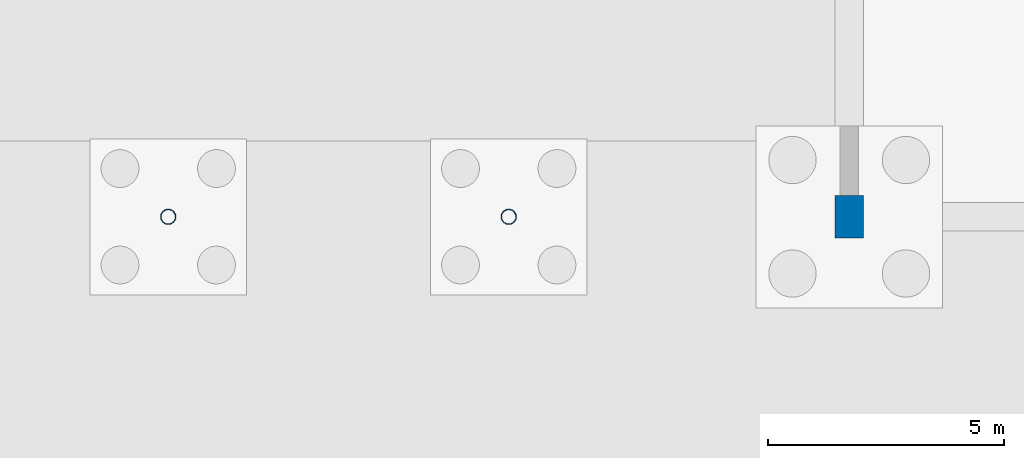
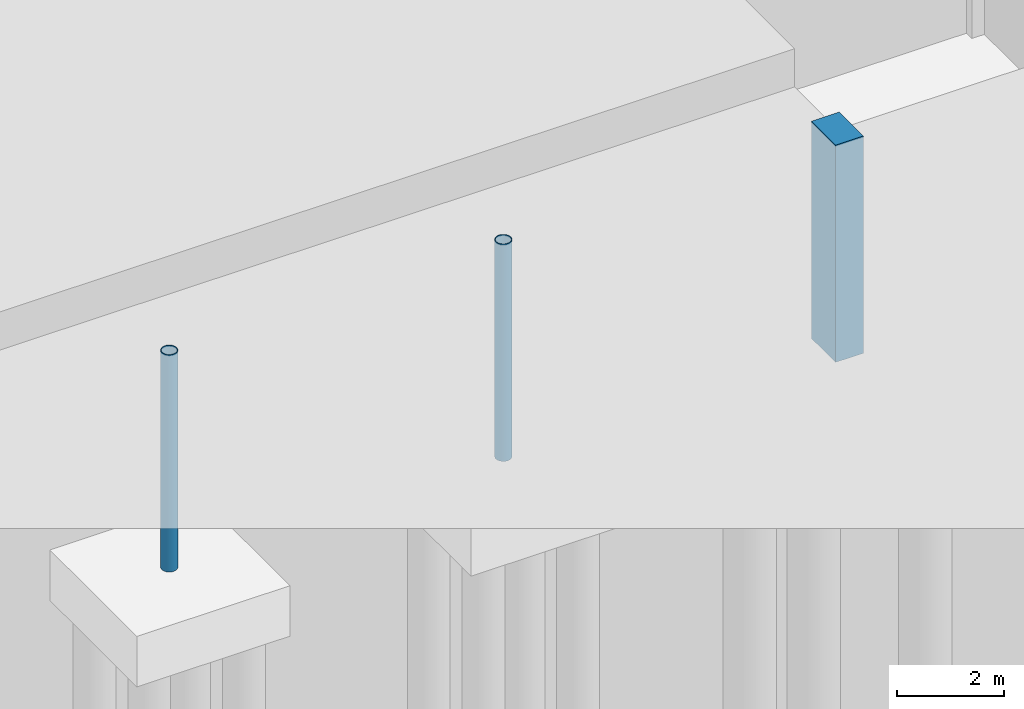
# One storey, part 18 of 51: 3 columns.
"""IFC4 building model written with IfcOpenShell, lengths in metres."""

from ifc_helpers import new_model, si_unit, direction, frame, origin, origin_2d, place, context, subcontext, project, spatial, rectangle, hollow_circle, extrude, material, material_profile, profile_set, type_object, element, save


model = new_model("IFC4")

# Units and contexts
model_context = context("Model", 3, precision=1e-05, world=origin(), true_north=direction((0.0, 1.0)))
body_context = subcontext(model_context, "Body", "Model", "MODEL_VIEW")
ifc_project = project(units=[si_unit("LENGTHUNIT", "METRE"), si_unit("AREAUNIT", "SQUARE_METRE"), si_unit("VOLUMEUNIT", "CUBIC_METRE"), si_unit("PLANEANGLEUNIT", "RADIAN"), si_unit("MASSUNIT", "GRAM", prefix="KILO")], contexts=[model_context])

# Site, building, storey
site_placement = place(None, origin())
site = spatial("IfcSite", under=ifc_project, at=site_placement, CompositionType="ELEMENT")
building_placement = place(site_placement, origin())
building = spatial("IfcBuilding", under=site, at=building_placement, Name="Zlatovets Crest Museum", CompositionType="ELEMENT")
storey_placement = place(building_placement, frame((0.0, 0.0, -4.5)))
storey = spatial("IfcBuildingStorey", under=building, at=storey_placement, Name="B1", CompositionType="ELEMENT", Elevation=-4.5)

# Columns
ifc_material_1 = material(Name="Concrete C35/45", Category="concrete")
ifc_material_profile_1 = material_profile(ifc_material_1, rectangle(XDim=0.60009765625, YDim=0.89990234375, at=origin_2d()), Name="RC 600x900")
ifc_profile_set_1 = profile_set([ifc_material_profile_1], Name="Concrete C35/45")
column_type_1 = type_object("IfcColumnType", Name="Col_C-03", PredefinedType="PILASTER", material=ifc_profile_set_1)
column_placement = place(storey_placement, frame((57.60009765625, 86.39990234375, -0.449951171875), z_axis=(0.0, 0.0, 1.0), x_axis=(1.0, 0.0, 0.0)))
element("IfcColumn", 1, at=column_placement, inside=storey, type_object=column_type_1, Name="V1 B1 Column (57.6, 86.4)", PredefinedType="PILASTER", context=body_context, shape_type="SweptSolid", body=[
    extrude(rectangle(XDim=0.60009765625, YDim=0.89990234375, at=origin_2d()), origin(), (0.0, 0.0, 1.0), 4.949951171875),
])
ifc_material_2 = material(Name="Structural steel S355J2", Category="steel")
ifc_material_profile_2 = material_profile(ifc_material_2, hollow_circle(Radius=0.161865234375, WallThickness=0.012451171875, at=origin_2d()), Name="CHS 323.9x12.5")
ifc_profile_set_2 = profile_set([ifc_material_profile_2], Name="Structural steel S355J2")
column_type_2 = type_object("IfcColumnType", Name="Col_C-13", PredefinedType="COLUMN", material=ifc_profile_set_2)
for number, where, z_axis, x_axis, name in (
    (2, (43.199951171875, 86.39990234375, -0.449951171875), (0.0, 0.0, 1.0), (1.0, 0.0, 0.0), "Northwest Crest Glazed Link Bridge Portal Column"),
    (3, (50.39990234375, 86.39990234375, -0.449951171875), (0.0, 0.0, 1.0), (1.0, 0.0, 0.0), "Northwest Crest Glazed Link Bridge Portal Column"),
):
    element("IfcColumn", number, at=place(storey_placement, frame(where, z_axis=z_axis, x_axis=x_axis)), inside=storey, type_object=column_type_2, Name=name, PredefinedType="COLUMN", context=body_context, shape_type="SweptSolid", body=[
        extrude(hollow_circle(Radius=0.161865234375, WallThickness=0.012451171875, at=origin_2d()), origin(), (0.0, 0.0, 1.0), 4.949951171875),
    ])

save(model, "model.ifc")
